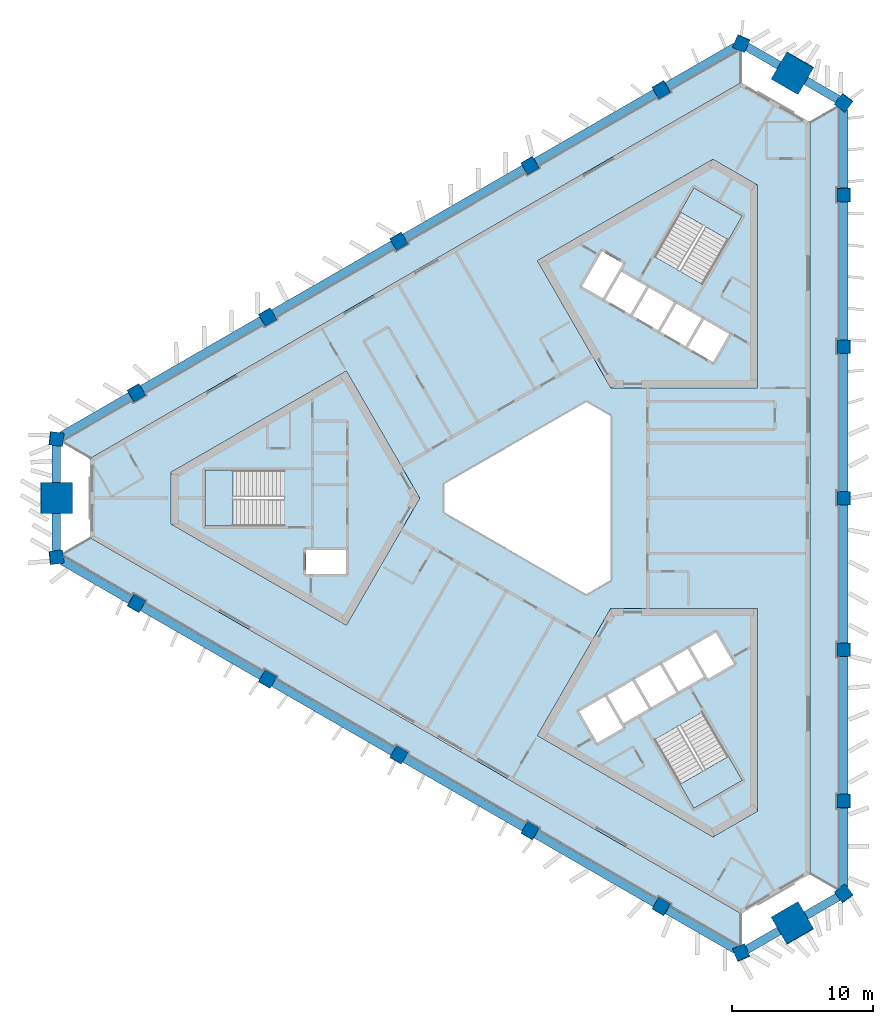
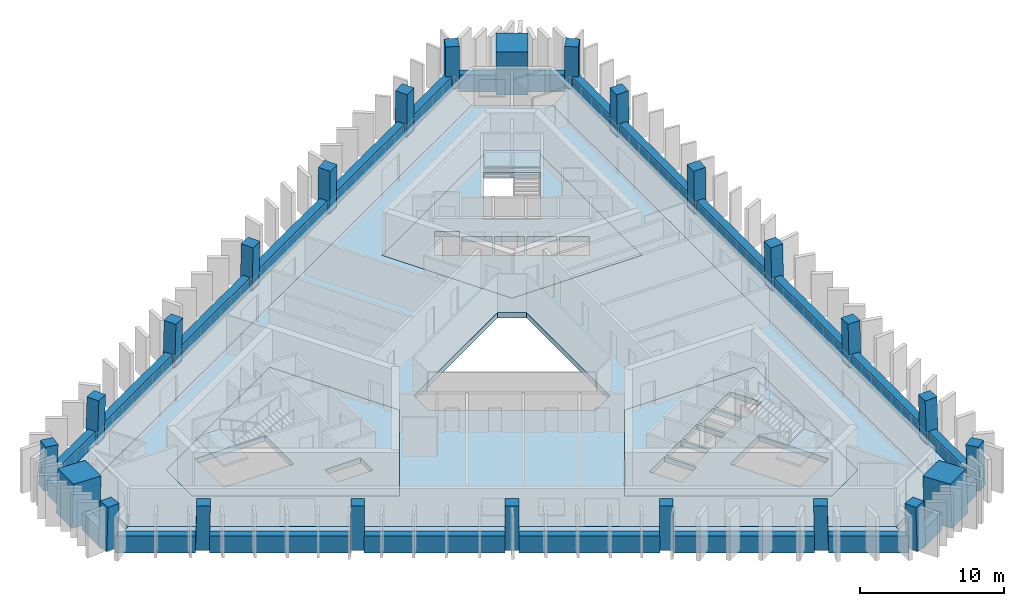
# One storey, part 1 of 9: 24 beams, 24 columns, 10 slabs, 3 elements without a shape of their own.
"""IFC4 building model written with IfcOpenShell, lengths in metres."""

from ifc_helpers import new_model, si_unit, direction, frame, origin, origin_2d, place, context, subcontext, project, spatial, polyline, rectangle, outline, extrude, material, layer, layer_set, material_profile, profile_set, type_object, element, aggregate, save


model = new_model("IFC4")

# Units and contexts
model_context = context("Model", 3, precision=1e-05, world=origin(), true_north=direction((0.0, 1.0)))
body_context = subcontext(model_context, "Body", "Model", "MODEL_VIEW")
ifc_project = project(units=[si_unit("LENGTHUNIT", "METRE"), si_unit("AREAUNIT", "SQUARE_METRE"), si_unit("VOLUMEUNIT", "CUBIC_METRE"), si_unit("PLANEANGLEUNIT", "RADIAN"), si_unit("MASSUNIT", "GRAM", prefix="KILO")], contexts=[model_context])

# Site, building, storey
site_placement = place(None, origin())
site = spatial("IfcSite", under=ifc_project, at=site_placement, CompositionType="ELEMENT")
building_placement = place(site_placement, origin())
building = spatial("IfcBuilding", under=site, at=building_placement, Name="Jabali Bay Hotel Tower and Convention Centre", CompositionType="ELEMENT")
storey_placement = place(building_placement, frame((0.0, 0.0, 182.199951171875)))
storey = spatial("IfcBuildingStorey", under=building, at=storey_placement, Name="L44", CompositionType="ELEMENT", Elevation=182.199951171875)

# Columns
ifc_material_1 = material(Name="Concrete C60", Category="concrete")
ifc_material_profile_1 = material_profile(ifc_material_1, rectangle(XDim=0.949951171875, YDim=0.949951171875, at=origin_2d()), Name="Frame column 950")
ifc_profile_set_1 = profile_set([ifc_material_profile_1], Name="Concrete C60")
column_type_1 = type_object("IfcColumnType", Name="Frame column 950", PredefinedType="COLUMN", material=ifc_profile_set_1)
column_1_placement = place(storey_placement, frame((83.073486328125, 108.8837890625, 0.0), z_axis=(-0.008376454378, -0.028163354484, 0.999568237028), x_axis=(0.865850871468, 0.499846877556, 0.02133933866)))
element("IfcColumn", 1, at=column_1_placement, inside=storey, type_object=column_type_1, Name="FC4 F1.1 L44", PredefinedType="COLUMN", context=body_context, shape_type="SweptSolid", body=[
    extrude(rectangle(XDim=0.949951171875, YDim=0.949951171875, at=origin_2d()), origin(), (0.0, 0.0, 1.0), 3.70166015625),
])
column_2_placement = place(storey_placement, frame((73.79248046875, 103.525390625, 0.0), z_axis=(0.000857578916, -0.022824792675, 0.999739112668), x_axis=(0.866060219769, 0.499825848733, 0.01066848966)))
element("IfcColumn", 2, at=column_2_placement, inside=storey, type_object=column_type_1, Name="FC4 F1.2 L44", PredefinedType="COLUMN", context=body_context, shape_type="SweptSolid", body=[
    extrude(rectangle(XDim=0.949951171875, YDim=0.949951171875, at=origin_2d()), origin(), (0.0, 0.0, 1.0), 3.700927734375),
])
column_3_placement = place(storey_placement, frame((64.511474609375, 98.166748046875, 0.0), z_axis=(0.010093620709, -0.017482414954, 0.999796221231), x_axis=(0.866020200589, 0.50000901209, 8.5616e-08)))
element("IfcColumn", 3, at=column_3_placement, inside=storey, type_object=column_type_1, Name="FC4 F1.3 L44", PredefinedType="COLUMN", context=body_context, shape_type="SweptSolid", body=[
    extrude(rectangle(XDim=0.949951171875, YDim=0.949951171875, at=origin_2d()), origin(), (0.0, 0.0, 1.0), 3.70068359375),
])
column_4_placement = place(storey_placement, frame((55.230224609375, 92.808349609375, 0.0), z_axis=(0.019328516974, -0.012138044789, 0.999739504221), x_axis=(-0.500200160538, 0.865674608258, 0.020180981521)))
element("IfcColumn", 4, at=column_4_placement, inside=storey, type_object=column_type_1, Name="FC4 F1.4 L44", PredefinedType="COLUMN", context=body_context, shape_type="SweptSolid", body=[
    extrude(rectangle(XDim=0.949951171875, YDim=0.949951171875, at=origin_2d()), origin(), (0.0, 0.0, 1.0), 3.700927734375),
])
for number, where, z_axis, x_axis, name in (
    (5, (45.94921875, 87.449951171875, 0.0), (0.02855911485, -0.006793507689, 0.999569019734), (-0.500399895775, 0.865559193602, 0.020179858252), "FC4 F1.5 L44"),
    (6, (45.94921875, 72.550048828125, 0.0), (0.02855911485, 0.006793507689, 0.999569019734), (-0.865323246693, 0.500760552185, 0.021320133879), "FC4 F2.1 L44"),
):
    element("IfcColumn", number, at=place(storey_placement, frame(where, z_axis=z_axis, x_axis=x_axis)), inside=storey, type_object=column_type_1, Name=name, PredefinedType="COLUMN", context=body_context, shape_type="SweptSolid", body=[
        extrude(rectangle(XDim=0.949951171875, YDim=0.949951171875, at=origin_2d()), origin(), (0.0, 0.0, 1.0), 3.70166015625),
    ])
column_5_placement = place(storey_placement, frame((55.230224609375, 67.191650390625, 0.0), z_axis=(0.019328516974, 0.012138044789, 0.999739504221), x_axis=(-0.865694061334, 0.500459928951, 0.010660754407)))
element("IfcColumn", 7, at=column_5_placement, inside=storey, type_object=column_type_1, Name="FC4 F2.2 L44", PredefinedType="COLUMN", context=body_context, shape_type="SweptSolid", body=[
    extrude(rectangle(XDim=0.949951171875, YDim=0.949951171875, at=origin_2d()), origin(), (0.0, 0.0, 1.0), 3.700927734375),
])
column_6_placement = place(storey_placement, frame((64.511474609375, 61.833251953125, 0.0), z_axis=(0.010093620709, 0.017482414954, 0.999796221231), x_axis=(-0.499907122366, -0.865843723195, 0.020187025824)))
element("IfcColumn", 8, at=column_6_placement, inside=storey, type_object=column_type_1, Name="FC4 F2.3 L44", PredefinedType="COLUMN", context=body_context, shape_type="SweptSolid", body=[
    extrude(rectangle(XDim=0.949951171875, YDim=0.949951171875, at=origin_2d()), origin(), (0.0, 0.0, 1.0), 3.70068359375),
])
column_7_placement = place(storey_placement, frame((73.79248046875, 56.474609375, 0.0), z_axis=(0.000857578916, 0.022824792675, 0.999739112668), x_axis=(-0.499938956565, -0.865825126557, 0.020196285069)))
element("IfcColumn", 9, at=column_7_placement, inside=storey, type_object=column_type_1, Name="FC4 F2.4 L44", PredefinedType="COLUMN", context=body_context, shape_type="SweptSolid", body=[
    extrude(rectangle(XDim=0.949951171875, YDim=0.949951171875, at=origin_2d()), origin(), (0.0, 0.0, 1.0), 3.700927734375),
])
for number, where, z_axis, x_axis, name in (
    (10, (83.073486328125, 51.1162109375, 0.0), (-0.008376454378, 0.028163354484, 0.999568237028), (-0.500232049542, -0.86565577712, 0.020198320458), "FC4 F2.5 L44"),
    (11, (95.977294921875, 58.566162109375, 0.0), (-0.020182659751, 0.021303918626, 0.999569308901), (0.000228267203, -0.99977282903, 0.021312865295), "FC4 F0.1 L44"),
):
    element("IfcColumn", number, at=place(storey_placement, frame(where, z_axis=z_axis, x_axis=x_axis)), inside=storey, type_object=column_type_1, Name=name, PredefinedType="COLUMN", context=body_context, shape_type="SweptSolid", body=[
        extrude(rectangle(XDim=0.949951171875, YDim=0.949951171875, at=origin_2d()), origin(), (0.0, 0.0, 1.0), 3.70166015625),
    ])
column_8_placement = place(storey_placement, frame((95.977294921875, 69.283203125, 0.0), z_axis=(-0.020186102726, 0.010620792611, 0.999739826165), x_axis=(0.001543238363, -0.999942052594, 0.01065410105)))
element("IfcColumn", 12, at=column_8_placement, inside=storey, type_object=column_type_1, Name="FC4 F0.2 L44", PredefinedType="COLUMN", context=body_context, shape_type="SweptSolid", body=[
    extrude(rectangle(XDim=0.949951171875, YDim=0.949951171875, at=origin_2d()), origin(), (0.0, 0.0, 1.0), 3.700927734375),
])
column_9_placement = place(storey_placement, frame((95.977294921875, 80.0, 0.0), z_axis=(-0.020187241331, 0.0, 0.99979621688), x_axis=(0.0, -1.0, 0.0)))
element("IfcColumn", 13, at=column_9_placement, inside=storey, type_object=column_type_1, Name="FC4 F0.3 L44", PredefinedType="COLUMN", context=body_context, shape_type="SweptSolid", body=[
    extrude(rectangle(XDim=0.949951171875, YDim=0.949951171875, at=origin_2d()), origin(), (0.0, 0.0, 1.0), 3.70068359375),
])
column_10_placement = place(storey_placement, frame((95.977294921875, 90.716796875, 0.0), z_axis=(-0.020186102726, -0.010620792611, 0.999739826165), x_axis=(0.999795048834, -0.001757901631, 0.020168542579)))
element("IfcColumn", 14, at=column_10_placement, inside=storey, type_object=column_type_1, Name="FC4 F0.4 L44", PredefinedType="COLUMN", context=body_context, shape_type="SweptSolid", body=[
    extrude(rectangle(XDim=0.949951171875, YDim=0.949951171875, at=origin_2d()), origin(), (0.0, 0.0, 1.0), 3.700927734375),
])
column_11_placement = place(storey_placement, frame((95.977294921875, 101.433837890625, 0.0), z_axis=(-0.020182659751, -0.021303918626, 0.999569308901), x_axis=(0.999796283319, -0.000658319199, 0.020173211851)))
element("IfcColumn", 15, at=column_11_placement, inside=storey, type_object=column_type_1, Name="FC4 F0.5 L44", PredefinedType="COLUMN", context=body_context, shape_type="SweptSolid", body=[
    extrude(rectangle(XDim=0.949951171875, YDim=0.949951171875, at=origin_2d()), origin(), (0.0, 0.0, 1.0), 3.70166015625),
])
for number, where, z_axis, x_axis, name in (
    (16, (95.977294921875, 52.0322265625, 0.0), (-0.020178741915, 0.029015184452, 0.999375273581), (-0.800087579063, -0.599881883303, 0.001261710951), "FC4 V0 L44"),
    (17, (95.977294921875, 107.9677734375, 0.0), (-0.020178741915, -0.029015184452, 0.999375273581), (0.599543730019, 0.799562283475, 0.035319550387), "FC4 V1 L44"),
    (18, (88.732177734375, 112.150634765625, 0.0), (-0.015035141917, -0.031982648376, 0.99937533225), (0.919589511858, -0.392878528197, 0.001261651107), "FC4 V2 L44"),
    (19, (40.290771484375, 84.182861328125, 0.0), (0.035148025093, -0.002967469286, 0.999377711608), (-0.992196459263, 0.119597585829, 0.03525058424), "FC4 V3 L44"),
    (20, (40.290771484375, 75.817138671875, 0.0), (0.035148025093, 0.002967469286, 0.999377711608), (-0.119627766666, 0.992818015343, 0.00125930643), "FC4 V4 L44"),
    (21, (88.732177734375, 47.849365234375, 0.0), (-0.015035141917, 0.031982648376, 0.99937533225), (0.392592758707, -0.91903404305, 0.035317892436), "FC4 V5 L44"),
):
    element("IfcColumn", number, at=place(storey_placement, frame(where, z_axis=z_axis, x_axis=x_axis)), inside=storey, type_object=column_type_1, Name=name, PredefinedType="COLUMN", context=body_context, shape_type="SweptSolid", body=[
        extrude(rectangle(XDim=0.949951171875, YDim=0.949951171875, at=origin_2d()), origin(), (0.0, 0.0, 1.0), 3.7021484375),
    ])
ifc_material_2 = material(Name="Concrete C70", Category="concrete")
ifc_material_profile_2 = material_profile(ifc_material_2, rectangle(XDim=2.199951171875, YDim=2.199951171875, at=origin_2d()), Name="Mega column 2200")
ifc_profile_set_2 = profile_set([ifc_material_profile_2], Name="Concrete C70")
column_type_2 = type_object("IfcColumnType", Name="Mega column 2200", PredefinedType="COLUMN", material=ifc_profile_set_2)
for number, where, z_axis, x_axis, name in (
    (22, (92.354736328125, 110.05908203125, 0.0), (-0.017607037296, -0.030466109479, 0.999380712447), (0.86581098392, -0.500371202332, 2.457e-09), "MC4 M1 L44"),
    (23, (40.290771484375, 80.0, 0.0), (0.035148179849, 0.0, 0.999382111834), (0.0, 1.0, 0.0), "MC4 M0 L44"),
    (24, (92.354736328125, 49.94091796875, 0.0), (-0.017607037296, 0.030466109479, 0.999380712447), (0.500061328599, -0.865274797998, 0.035187946645), "MC4 M2 L44"),
):
    element("IfcColumn", number, at=place(storey_placement, frame(where, z_axis=z_axis, x_axis=x_axis)), inside=storey, type_object=column_type_2, Name=name, PredefinedType="COLUMN", context=body_context, shape_type="SweptSolid", body=[
        extrude(rectangle(XDim=2.199951171875, YDim=2.199951171875, at=origin_2d()), origin(), (0.0, 0.0, 1.0), 3.7021484375),
    ])

# Beams
ifc_material_profile_3 = material_profile(ifc_material_1, rectangle(XDim=0.60009765625, YDim=1.449951171875, at=origin_2d()), Name="Spandrel 600x1450")
ifc_profile_set_3 = profile_set([ifc_material_profile_3], Name="Concrete C60")
beam_type = type_object("IfcBeamType", Name="Spandrel 600x1450", PredefinedType="SPANDREL", material=ifc_profile_set_3)
beam_1_placement = place(storey_placement, frame((91.3955078125, 110.59765625, 0.375), z_axis=(-0.866015587269, 0.500017002318, 0.0), x_axis=(-0.500017002318, -0.866015587269, 0.0)))
element("IfcBeam", 25, at=beam_1_placement, inside=storey, type_object=beam_type, Name="Spandrel M1-V2 L44", PredefinedType="SPANDREL", context=body_context, shape_type="SweptSolid", body=[
    extrude(rectangle(XDim=0.60009765625, YDim=1.449951171875, at=origin_2d()), origin(), (0.0, 0.0, 1.0), 2.60693359375),
])
beam_2_placement = place(storey_placement, frame((88.315185546875, 111.901123046875, 0.375), z_axis=(-0.866032613373, -0.499987512418, 0.0), x_axis=(0.499987512418, -0.866032613373, 0.0)))
element("IfcBeam", 26, at=beam_2_placement, inside=storey, type_object=beam_type, Name="Spandrel V2-F1.1 L44", PredefinedType="SPANDREL", context=body_context, shape_type="SweptSolid", body=[
    extrude(rectangle(XDim=0.60009765625, YDim=1.449951171875, at=origin_2d()), origin(), (0.0, 0.0, 1.0), 5.581298828125),
])
beam_3_placement = place(storey_placement, frame((82.6591796875, 108.6357421875, 0.375), z_axis=(-0.866023178844, -0.50000385369, 0.0), x_axis=(0.50000385369, -0.866023178844, 0.0)))
element("IfcBeam", 27, at=beam_3_placement, inside=storey, type_object=beam_type, Name="Spandrel F1.1-F1.2 L44", PredefinedType="SPANDREL", context=body_context, shape_type="SweptSolid", body=[
    extrude(rectangle(XDim=0.60009765625, YDim=1.449951171875, at=origin_2d()), origin(), (0.0, 0.0, 1.0), 9.76318359375),
])
for number, where, z_axis, x_axis, name in (
    (28, (73.38134765625, 103.279296875, 0.375), (-0.866016926934, -0.500014682049, 0.0), (0.500014682049, -0.866016926934, 0.0), "Spandrel F1.2-F1.3 L44"),
    (29, (64.103759765625, 97.9228515625, 0.375), (-0.866016926934, -0.500014682049, 0.0), (0.500014682049, -0.866016926934, 0.0), "Spandrel F1.3-F1.4 L44"),
    (30, (54.826171875, 92.56640625, 0.375), (-0.866016926934, -0.500014682049, 0.0), (0.500014682049, -0.866016926934, 0.0), "Spandrel F1.4-F1.5 L44"),
):
    element("IfcBeam", number, at=place(storey_placement, frame(where, z_axis=z_axis, x_axis=x_axis)), inside=storey, type_object=beam_type, Name=name, PredefinedType="SPANDREL", context=body_context, shape_type="SweptSolid", body=[
        extrude(rectangle(XDim=0.60009765625, YDim=1.449951171875, at=origin_2d()), origin(), (0.0, 0.0, 1.0), 9.762939453125),
    ])
beam_4_placement = place(storey_placement, frame((45.548583984375, 87.2099609375, 0.375), z_axis=(-0.866021677438, -0.500006454166, 0.0), x_axis=(0.500006454166, -0.866021677438, 0.0)))
element("IfcBeam", 31, at=beam_4_placement, inside=storey, type_object=beam_type, Name="Spandrel F1.5-V3 L44", PredefinedType="SPANDREL", context=body_context, shape_type="SweptSolid", body=[
    extrude(rectangle(XDim=0.60009765625, YDim=1.449951171875, at=origin_2d()), origin(), (0.0, 0.0, 1.0), 5.5810546875),
])
for number, where, z_axis, x_axis, name in (
    (32, (40.303955078125, 83.706787109375, 0.375), (0.0, -1.0, 0.0), (1.0, 0.0, 0.0), "Spandrel V3-M0 L44"),
    (33, (40.303955078125, 78.89990234375, 0.375), (0.0, -1.0, 0.0), (1.0, 0.0, 0.0), "Spandrel M0-V4 L44"),
):
    element("IfcBeam", number, at=place(storey_placement, frame(where, z_axis=z_axis, x_axis=x_axis)), inside=storey, type_object=beam_type, Name=name, PredefinedType="SPANDREL", context=body_context, shape_type="SweptSolid", body=[
        extrude(rectangle(XDim=0.60009765625, YDim=1.449951171875, at=origin_2d()), origin(), (0.0, 0.0, 1.0), 2.606689453125),
    ])
beam_5_placement = place(storey_placement, frame((40.71533203125, 75.58056640625, 0.375), z_axis=(0.866021677438, -0.500006454166, 0.0), x_axis=(0.500006454166, 0.866021677438, 0.0)))
element("IfcBeam", 34, at=beam_5_placement, inside=storey, type_object=beam_type, Name="Spandrel V4-F2.1 L44", PredefinedType="SPANDREL", context=body_context, shape_type="SweptSolid", body=[
    extrude(rectangle(XDim=0.60009765625, YDim=1.449951171875, at=origin_2d()), origin(), (0.0, 0.0, 1.0), 5.5810546875),
])
for number, where, z_axis, x_axis, name in (
    (35, (46.371337890625, 72.315185546875, 0.375), (0.866016926934, -0.500014682049, 0.0), (0.500014682049, 0.866016926934, 0.0), "Spandrel F2.1-F2.2 L44"),
    (36, (55.64892578125, 66.958740234375, 0.375), (0.866016926934, -0.500014682049, 0.0), (0.500014682049, 0.866016926934, 0.0), "Spandrel F2.2-F2.3 L44"),
    (37, (64.926513671875, 61.602294921875, 0.375), (0.866016926934, -0.500014682049, 0.0), (0.500014682049, 0.866016926934, 0.0), "Spandrel F2.3-F2.4 L44"),
):
    element("IfcBeam", number, at=place(storey_placement, frame(where, z_axis=z_axis, x_axis=x_axis)), inside=storey, type_object=beam_type, Name=name, PredefinedType="SPANDREL", context=body_context, shape_type="SweptSolid", body=[
        extrude(rectangle(XDim=0.60009765625, YDim=1.449951171875, at=origin_2d()), origin(), (0.0, 0.0, 1.0), 9.762939453125),
    ])
beam_6_placement = place(storey_placement, frame((74.2041015625, 56.245849609375, 0.375), z_axis=(0.866023178844, -0.50000385369, 0.0), x_axis=(0.50000385369, 0.866023178844, 0.0)))
element("IfcBeam", 38, at=beam_6_placement, inside=storey, type_object=beam_type, Name="Spandrel F2.4-F2.5 L44", PredefinedType="SPANDREL", context=body_context, shape_type="SweptSolid", body=[
    extrude(rectangle(XDim=0.60009765625, YDim=1.449951171875, at=origin_2d()), origin(), (0.0, 0.0, 1.0), 9.76318359375),
])
beam_7_placement = place(storey_placement, frame((83.481689453125, 50.889404296875, 0.375), z_axis=(0.866032613373, -0.499987512418, 0.0), x_axis=(0.499987512418, 0.866032613373, 0.0)))
element("IfcBeam", 39, at=beam_7_placement, inside=storey, type_object=beam_type, Name="Spandrel F2.5-V5 L44", PredefinedType="SPANDREL", context=body_context, shape_type="SweptSolid", body=[
    extrude(rectangle(XDim=0.60009765625, YDim=1.449951171875, at=origin_2d()), origin(), (0.0, 0.0, 1.0), 5.581298828125),
])
for number, where, z_axis, x_axis, name in (
    (40, (89.137939453125, 48.098876953125, 0.375), (0.866015587269, 0.500017002318, 0.0), (-0.500017002318, 0.866015587269, 0.0), "Spandrel V5-M2 L44"),
    (41, (93.30078125, 50.502197265625, 0.375), (0.866015587269, 0.500017002318, 0.0), (-0.500017002318, 0.866015587269, 0.0), "Spandrel M2-V0 L44"),
):
    element("IfcBeam", number, at=place(storey_placement, frame(where, z_axis=z_axis, x_axis=x_axis)), inside=storey, type_object=beam_type, Name=name, PredefinedType="SPANDREL", context=body_context, shape_type="SweptSolid", body=[
        extrude(rectangle(XDim=0.60009765625, YDim=1.449951171875, at=origin_2d()), origin(), (0.0, 0.0, 1.0), 2.60693359375),
    ])
beam_8_placement = place(storey_placement, frame((95.9697265625, 52.518310546875, 0.375), z_axis=(0.0, 1.0, 0.0), x_axis=(-1.0, 0.0, 0.0)))
element("IfcBeam", 42, at=beam_8_placement, inside=storey, type_object=beam_type, Name="Spandrel V0-F0.1 L44", PredefinedType="SPANDREL", context=body_context, shape_type="SweptSolid", body=[
    extrude(rectangle(XDim=0.60009765625, YDim=1.449951171875, at=origin_2d()), origin(), (0.0, 0.0, 1.0), 5.580810546875),
])
for number, where, z_axis, x_axis, name in (
    (43, (95.9697265625, 59.04931640625, 0.375), (0.0, 1.0, 0.0), (-1.0, 0.0, 0.0), "Spandrel F0.1-F0.2 L44"),
    (44, (95.9697265625, 69.76220703125, 0.375), (0.0, 1.0, 0.0), (-1.0, 0.0, 0.0), "Spandrel F0.2-F0.3 L44"),
    (45, (95.9697265625, 80.47509765625, 0.375), (0.0, 1.0, 0.0), (-1.0, 0.0, 0.0), "Spandrel F0.3-F0.4 L44"),
    (46, (95.9697265625, 91.18798828125, 0.375), (0.0, 1.0, 0.0), (-1.0, 0.0, 0.0), "Spandrel F0.4-F0.5 L44"),
):
    element("IfcBeam", number, at=place(storey_placement, frame(where, z_axis=z_axis, x_axis=x_axis)), inside=storey, type_object=beam_type, Name=name, PredefinedType="SPANDREL", context=body_context, shape_type="SweptSolid", body=[
        extrude(rectangle(XDim=0.60009765625, YDim=1.449951171875, at=origin_2d()), origin(), (0.0, 0.0, 1.0), 9.7626953125),
    ])
beam_9_placement = place(storey_placement, frame((95.9697265625, 101.90087890625, 0.375), z_axis=(0.0, 1.0, 0.0), x_axis=(-1.0, 0.0, 0.0)))
element("IfcBeam", 47, at=beam_9_placement, inside=storey, type_object=beam_type, Name="Spandrel F0.5-V1 L44", PredefinedType="SPANDREL", context=body_context, shape_type="SweptSolid", body=[
    extrude(rectangle(XDim=0.60009765625, YDim=1.449951171875, at=origin_2d()), origin(), (0.0, 0.0, 1.0), 5.580810546875),
])
beam_10_placement = place(storey_placement, frame((95.558349609375, 108.1943359375, 0.375), z_axis=(-0.866015587269, 0.500017002318, 0.0), x_axis=(-0.500017002318, -0.866015587269, 0.0)))
element("IfcBeam", 48, at=beam_10_placement, inside=storey, type_object=beam_type, Name="Spandrel V1-M1 L44", PredefinedType="SPANDREL", context=body_context, shape_type="SweptSolid", body=[
    extrude(rectangle(XDim=0.60009765625, YDim=1.449951171875, at=origin_2d()), origin(), (0.0, 0.0, 1.0), 2.60693359375),
])

# Slabs
ifc_material_3 = material(Name="Concrete C40", Category="concrete")
ifc_layer_1 = layer(ifc_material_3, 0.449951171875)
ifc_layer_set_1 = layer_set([ifc_layer_1], Name="Concrete C40")
slab_type_1 = type_object("IfcSlabType", Name="Core floor slab 450", PredefinedType="FLOOR", material=ifc_layer_set_1)
slab_1_placement = place(storey_placement, frame((0.0, 0.0, -0.449951171875)))
element("IfcSlab", 49, at=slab_1_placement, inside=storey, type_object=slab_type_1, Name="Core floor slab 1 L44", PredefinedType="FLOOR", context=body_context, shape_type="SweptSolid", body=[
    extrude(outline(polyline([(66.0, 80.0), (60.81005859375, 88.9892578125), (48.39697265625, 81.82275390625), (48.39697265625, 78.17724609375), (60.81005859375, 71.0107421875), (66.0, 80.0)]), holes=[polyline([(60.800048828125, 76.35009765625), (57.949951171875, 76.35009765625), (57.949951171875, 74.64990234375), (60.800048828125, 74.64990234375), (60.800048828125, 76.35009765625)]), polyline([(50.820068359375, 81.97509765625), (50.820068359375, 78.02490234375), (56.409912109375, 78.02490234375), (56.409912109375, 81.97509765625), (50.820068359375, 81.97509765625)])]), origin(), (0.0, 0.0, 1.0), 0.449951171875),
])
slab_2_placement = place(storey_placement, frame((0.0, 0.0, -0.449951171875)))
element("IfcSlab", 50, at=slab_2_placement, inside=storey, type_object=slab_type_1, Name="Core floor slab 2 L44", PredefinedType="FLOOR", context=body_context, shape_type="SweptSolid", body=[
    extrude(outline(polyline([(79.5, 87.794189453125), (89.8798828125, 87.794189453125), (89.8798828125, 102.127685546875), (86.72314453125, 103.9501953125), (74.31005859375, 96.78369140625), (79.5, 87.794189453125)]), holes=[polyline([(84.957763671875, 90.6474609375), (86.733154296875, 89.62255859375), (87.873291015625, 91.59716796875), (86.097900390625, 92.6220703125), (84.957763671875, 90.6474609375)]), polyline([(84.1494140625, 93.7470703125), (83.00927734375, 91.7724609375), (84.78466796875, 90.74755859375), (85.924560546875, 92.72216796875), (84.1494140625, 93.7470703125)]), polyline([(82.20068359375, 94.8720703125), (81.060791015625, 92.8974609375), (82.836181640625, 91.87255859375), (83.97607421875, 93.84716796875), (82.20068359375, 94.8720703125)]), polyline([(79.1123046875, 94.0224609375), (80.887451171875, 92.99755859375), (82.027587890625, 94.97216796875), (80.252197265625, 95.9970703125), (79.1123046875, 94.0224609375)]), polyline([(78.891845703125, 97.440673828125), (77.466796875, 94.97265625), (78.93896484375, 94.12255859375), (80.364013671875, 96.5908203125), (78.891845703125, 97.440673828125)]), polyline([(82.584716796875, 97.0869140625), (86.00537109375, 95.11181640625), (88.80029296875, 99.952880859375), (85.379638671875, 101.927978515625), (82.584716796875, 97.0869140625)])]), origin(), (0.0, 0.0, 1.0), 0.449951171875),
])
slab_3_placement = place(storey_placement, frame((0.0, 0.0, -0.449951171875)))
element("IfcSlab", 51, at=slab_3_placement, inside=storey, type_object=slab_type_1, Name="Core floor slab 3 L44", PredefinedType="FLOOR", context=body_context, shape_type="SweptSolid", body=[
    extrude(outline(polyline([(79.5, 72.205810546875), (74.31005859375, 63.21630859375), (86.72314453125, 56.0498046875), (89.8798828125, 57.872314453125), (89.8798828125, 72.205810546875), (79.5, 72.205810546875)]), holes=[polyline([(82.584716796875, 62.9130859375), (85.379638671875, 58.072021484375), (88.80029296875, 60.047119140625), (86.00537109375, 64.88818359375), (82.584716796875, 62.9130859375)]), polyline([(80.365478515625, 63.756591796875), (79.090576171875, 65.96484375), (77.27197265625, 64.9150390625), (78.546875, 62.70654296875), (80.365478515625, 63.756591796875)]), polyline([(82.17919921875, 65.115478515625), (81.0390625, 67.08984375), (79.263671875, 66.06494140625), (80.40380859375, 64.09033203125), (82.17919921875, 65.115478515625)]), polyline([(82.98779296875, 68.21484375), (81.21240234375, 67.18994140625), (82.352294921875, 65.21533203125), (84.127685546875, 66.240478515625), (82.98779296875, 68.21484375)]), polyline([(86.076171875, 67.365478515625), (84.936279296875, 69.33984375), (83.160888671875, 68.31494140625), (84.30078125, 66.34033203125), (86.076171875, 67.365478515625)]), polyline([(88.203125, 68.281494140625), (86.927978515625, 70.489990234375), (85.109375, 69.43994140625), (86.384521484375, 67.231689453125), (88.203125, 68.281494140625)])]), origin(), (0.0, 0.0, 1.0), 0.449951171875),
])
ifc_layer_2 = layer(ifc_material_3, 0.199951171875)
ifc_layer_set_2 = layer_set([ifc_layer_2], Name="Concrete C40")
slab_type_2 = type_object("IfcSlabType", Name="Loggia slab 200", PredefinedType="FLOOR", material=ifc_layer_set_2)
slab_4_placement = place(storey_placement, frame((0.0, 0.0, -0.199951171875)))
element("IfcSlab", 52, at=slab_4_placement, inside=storey, type_object=slab_type_2, Name="Loggia slab east face L44", PredefinedType="FLOOR", context=body_context, shape_type="SweptSolid", body=[
    extrude(outline(polyline([(93.5771484375, 106.58203125), (95.530029296875, 107.70947265625), (95.67724609375, 107.598876953125), (95.67724609375, 101.90869140625), (95.502197265625, 101.90869140625), (95.502197265625, 100.958740234375), (95.67724609375, 100.958740234375), (95.67724609375, 91.19189453125), (95.502197265625, 91.19189453125), (95.502197265625, 90.241943359375), (95.67724609375, 90.241943359375), (95.67724609375, 80.47509765625), (95.502197265625, 80.47509765625), (95.502197265625, 79.52490234375), (95.67724609375, 79.52490234375), (95.67724609375, 69.758056640625), (95.502197265625, 69.758056640625), (95.502197265625, 68.80810546875), (95.67724609375, 68.80810546875), (95.67724609375, 59.041259765625), (95.502197265625, 59.041259765625), (95.502197265625, 58.09130859375), (95.67724609375, 58.09130859375), (95.67724609375, 52.401123046875), (95.530029296875, 52.29052734375), (93.5771484375, 53.41796875), (93.5771484375, 106.58203125)])), origin(), (0.0, 0.0, 1.0), 0.199951171875),
])
slab_5_placement = place(storey_placement, frame((0.0, 0.0, -0.199951171875)))
element("IfcSlab", 53, at=slab_5_placement, inside=storey, type_object=slab_type_2, Name="Loggia slab north-west face L44", PredefinedType="FLOOR", context=body_context, shape_type="SweptSolid", body=[
    extrude(outline(polyline([(42.690673828125, 82.79736328125), (40.738037109375, 83.9248046875), (40.760009765625, 84.107666015625), (45.687744140625, 86.95263671875), (45.775390625, 86.801025390625), (46.59814453125, 87.276123046875), (46.510498046875, 87.427734375), (54.968994140625, 92.31103515625), (55.056396484375, 92.159423828125), (55.879150390625, 92.634521484375), (55.791748046875, 92.7861328125), (64.25, 97.66943359375), (64.33740234375, 97.51806640625), (65.16015625, 97.992919921875), (65.07275390625, 98.14453125), (73.531005859375, 103.028076171875), (73.61865234375, 102.87646484375), (74.44140625, 103.351318359375), (74.353759765625, 103.5029296875), (82.812255859375, 108.386474609375), (82.899658203125, 108.23486328125), (83.722412109375, 108.7099609375), (83.635009765625, 108.861328125), (88.562744140625, 111.70654296875), (88.732177734375, 111.63427734375), (88.732177734375, 109.37939453125), (42.690673828125, 82.79736328125)])), origin(), (0.0, 0.0, 1.0), 0.199951171875),
])
slab_6_placement = place(storey_placement, frame((0.0, 0.0, -0.199951171875)))
element("IfcSlab", 54, at=slab_6_placement, inside=storey, type_object=slab_type_2, Name="Loggia slab south-west face L44", PredefinedType="FLOOR", context=body_context, shape_type="SweptSolid", body=[
    extrude(outline(polyline([(88.732177734375, 50.62060546875), (88.732177734375, 48.36572265625), (88.562744140625, 48.29345703125), (83.635009765625, 51.138671875), (83.722412109375, 51.2900390625), (82.899658203125, 51.76513671875), (82.812255859375, 51.613525390625), (74.353759765625, 56.4970703125), (74.44140625, 56.648681640625), (73.61865234375, 57.12353515625), (73.531005859375, 56.971923828125), (65.07275390625, 61.85546875), (65.16015625, 62.007080078125), (64.33740234375, 62.48193359375), (64.25, 62.33056640625), (55.791748046875, 67.2138671875), (55.879150390625, 67.365478515625), (55.056396484375, 67.840576171875), (54.968994140625, 67.68896484375), (46.510498046875, 72.572265625), (46.59814453125, 72.723876953125), (45.775390625, 73.198974609375), (45.687744140625, 73.04736328125), (40.760009765625, 75.892333984375), (40.738037109375, 76.0751953125), (42.690673828125, 77.20263671875), (88.732177734375, 50.62060546875)])), origin(), (0.0, 0.0, 1.0), 0.199951171875),
])
ifc_layer_3 = layer(ifc_material_3, 0.449951171875)
ifc_layer_set_3 = layer_set([ifc_layer_3], Name="Concrete C40")
slab_type_3 = type_object("IfcSlabType", Name="Post-tensioned flat slab 450", PredefinedType="FLOOR", material=ifc_layer_set_3)
slab_7_placement = place(storey_placement, frame((0.0, 0.0, -0.449951171875)))
element("IfcSlab", 55, at=slab_7_placement, inside=storey, type_object=slab_type_3, Name="Floor slab L44", PredefinedType="FLOOR", context=body_context, shape_type="SweptSolid", body=[
    extrude(outline(polyline([(88.732177734375, 109.37939453125), (93.5771484375, 106.58203125), (93.5771484375, 53.41796875), (88.732177734375, 50.62060546875), (42.690673828125, 77.20263671875), (42.690673828125, 82.79736328125), (88.732177734375, 109.37939453125)]), holes=[polyline([(67.73193359375, 79.0), (77.76806640625, 73.205810546875), (79.5, 74.205810546875), (79.5, 85.794189453125), (77.76806640625, 86.794189453125), (67.73193359375, 81.0), (67.73193359375, 79.0)]), polyline([(48.39697265625, 78.17724609375), (60.81005859375, 71.0107421875), (66.0, 80.0), (60.81005859375, 88.9892578125), (48.39697265625, 81.82275390625), (48.39697265625, 78.17724609375)]), polyline([(89.8798828125, 102.127685546875), (86.72314453125, 103.9501953125), (74.31005859375, 96.78369140625), (79.5, 87.794189453125), (89.8798828125, 87.794189453125), (89.8798828125, 102.127685546875)]), polyline([(74.31005859375, 63.21630859375), (86.72314453125, 56.0498046875), (89.8798828125, 57.872314453125), (89.8798828125, 72.205810546875), (79.5, 72.205810546875), (74.31005859375, 63.21630859375)])]), origin(), (0.0, 0.0, 1.0), 0.449951171875),
])

# Stair, slab
stair_type = type_object("IfcStairType", Name="Exit stair 1900", PredefinedType="HALF_TURN_STAIR", material=ifc_material_3)
stair_1_placement = place(storey_placement, origin())
stair_1 = element("IfcStair", 56, at=stair_1_placement, inside=storey, type_object=stair_type, Name="L44 Exit Stair 1", PredefinedType="HALF_TURN_STAIR")
ifc_layer_4 = layer(ifc_material_3, 0.199951171875)
ifc_layer_set_4 = layer_set([ifc_layer_4], Name="Concrete C40")
slab_type_4 = type_object("IfcSlabType", Name="Stair landing 200", PredefinedType="LANDING", material=ifc_layer_set_4)
slab_8_placement = place(storey_placement, frame((0.0, 0.0, 1.650146484375)))
slab_8 = element("IfcSlab", 57, at=slab_8_placement, type_object=slab_type_4, Name="ST1 landing 1", PredefinedType="LANDING", context=body_context, shape_type="SweptSolid", body=[
    extrude(outline(polyline([(52.782958984375, 81.97509765625), (50.820068359375, 81.97509765625), (50.820068359375, 78.02490234375), (52.782958984375, 78.02490234375), (52.782958984375, 81.97509765625)])), origin(), (0.0, 0.0, 1.0), 0.199951171875),
])
aggregate(stair_1, [slab_8])

stair_2_placement = place(storey_placement, origin())
stair_2 = element("IfcStair", 58, at=stair_2_placement, inside=storey, type_object=stair_type, Name="L44 Exit Stair 2", PredefinedType="HALF_TURN_STAIR")
slab_9_placement = place(storey_placement, frame((0.0, 0.0, 1.650146484375)))
slab_9 = element("IfcSlab", 59, at=slab_9_placement, type_object=slab_type_4, Name="ST2 landing 1", PredefinedType="LANDING", context=body_context, shape_type="SweptSolid", body=[
    extrude(outline(polyline([(87.81884765625, 98.2529296875), (88.80029296875, 99.952880859375), (85.379638671875, 101.927978515625), (84.398193359375, 100.22802734375), (87.81884765625, 98.2529296875)])), origin(), (0.0, 0.0, 1.0), 0.199951171875),
])
aggregate(stair_2, [slab_9])

stair_3_placement = place(storey_placement, origin())
stair_3 = element("IfcStair", 60, at=stair_3_placement, inside=storey, type_object=stair_type, Name="L44 Exit Stair 3", PredefinedType="HALF_TURN_STAIR")
slab_10_placement = place(storey_placement, frame((0.0, 0.0, 1.650146484375)))
slab_10 = element("IfcSlab", 61, at=slab_10_placement, type_object=slab_type_4, Name="ST3 landing 1", PredefinedType="LANDING", context=body_context, shape_type="SweptSolid", body=[
    extrude(outline(polyline([(84.398193359375, 59.77197265625), (85.379638671875, 58.072021484375), (88.80029296875, 60.047119140625), (87.81884765625, 61.7470703125), (84.398193359375, 59.77197265625)])), origin(), (0.0, 0.0, 1.0), 0.199951171875),
])
aggregate(stair_3, [slab_10])

save(model, "model.ifc")
